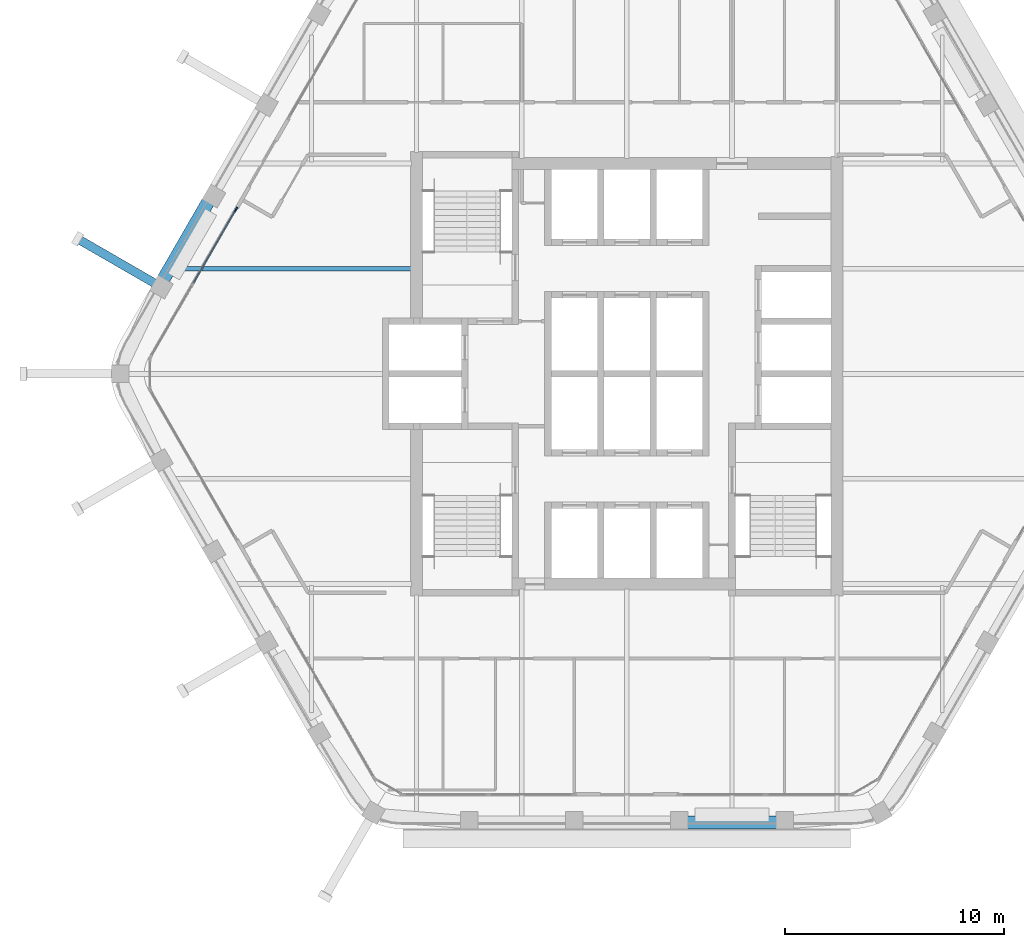
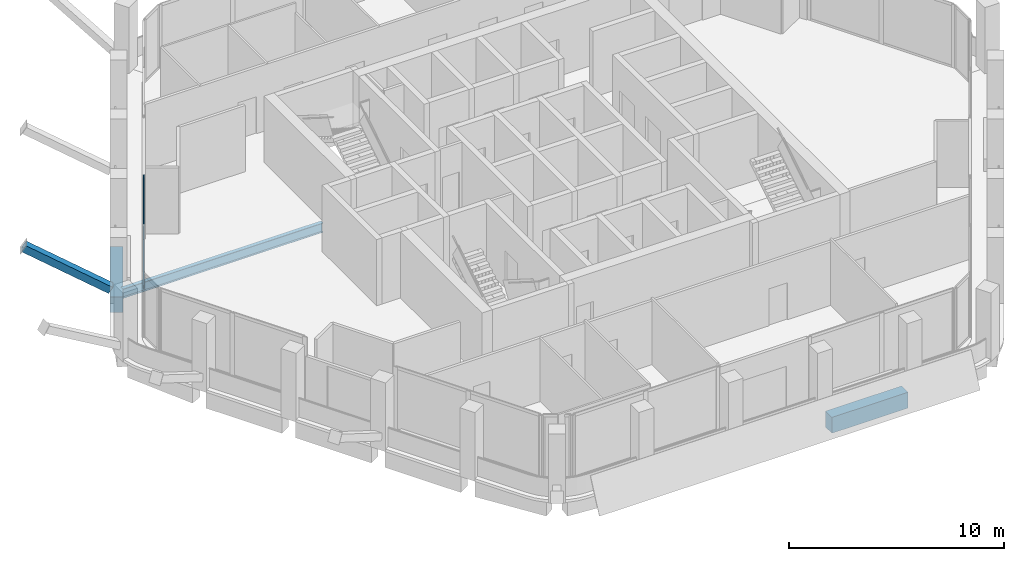
# One storey, part 3 of 14: 4 members, 3 beams, 1 element without a shape of its own.
"""IFC4 building model written with IfcOpenShell, lengths in metres."""

from ifc_helpers import new_model, si_unit, direction, frame, origin, origin_2d, place, context, subcontext, project, spatial, rectangle, hollow_rectangle, i_section, extrude, material, material_profile, profile_set, type_object, element, aggregate, save


model = new_model("IFC4")

# Units and contexts
model_context = context("Model", 3, precision=1e-05, world=origin(), true_north=direction((0.0, 1.0)))
body_context = subcontext(model_context, "Body", "Model", "MODEL_VIEW")
ifc_project = project(units=[si_unit("LENGTHUNIT", "METRE"), si_unit("AREAUNIT", "SQUARE_METRE"), si_unit("VOLUMEUNIT", "CUBIC_METRE"), si_unit("PLANEANGLEUNIT", "RADIAN"), si_unit("MASSUNIT", "GRAM", prefix="KILO")], contexts=[model_context])

# Site, building, storey
site_placement = place(None, origin())
site = spatial("IfcSite", under=ifc_project, at=site_placement, CompositionType="ELEMENT")
building_placement = place(site_placement, origin())
building = spatial("IfcBuilding", under=site, at=building_placement, Name="Kolab Exchange Tower", CompositionType="ELEMENT")
storey_placement = place(building_placement, frame((0.0, 0.0, 234.5)))
storey = spatial("IfcBuildingStorey", under=building, at=storey_placement, Name="L51", CompositionType="ELEMENT", Elevation=234.5)

# Beam
ifc_material_1 = material(Name="Steel S355", Category="steel")
ifc_material_profile_1 = material_profile(ifc_material_1, i_section(OverallWidth=0.208984375, OverallDepth=0.532958984375, WebThickness=0.01025390625, FlangeThickness=0.015625, at=origin_2d()), Name="W530X92")
ifc_profile_set_1 = profile_set([ifc_material_profile_1], Name="Steel S355")
beam_type_1 = type_object("IfcBeamType", Name="FLOOR BEAM W530X92", PredefinedType="BEAM", material=ifc_profile_set_1)
beam_placement = place(storey_placement, frame((-20.575927734375, 4.800048828125, -0.41650390625), z_axis=(1.0, 0.0, 0.0), x_axis=(0.0, 1.0, 0.0)))
element("IfcBeam", 1, at=beam_placement, inside=storey, type_object=beam_type_1, Name="beam/L51/fr/002", PredefinedType="BEAM", context=body_context, shape_type="SweptSolid", body=[
    extrude(i_section(OverallWidth=0.208984375, OverallDepth=0.532958984375, WebThickness=0.01025390625, FlangeThickness=0.015625, at=origin_2d()), origin(), (0.0, 0.0, 1.0), 10.740966796875),
])

# Member
ifc_material_profile_2 = material_profile(ifc_material_1, hollow_rectangle(XDim=0.39990234375, YDim=0.39990234375, WallThickness=0.02001953125, at=origin_2d()), Name="HSS400X400X20")
ifc_profile_set_2 = profile_set([ifc_material_profile_2], Name="Steel S355")
member_type_1 = type_object("IfcMemberType", Name="LEDGE STRUT HSS400X400X20", PredefinedType="STRUT", material=ifc_profile_set_2)
member_1_placement = place(storey_placement, frame((-21.5654296875, 4.136962890625, 0.60009765625), z_axis=(-0.74714919009, 0.431366436313, 0.505659060406), x_axis=(-0.499999695987, -0.866025579307, 0.0)))
element("IfcMember", 2, at=member_1_placement, inside=storey, type_object=member_type_1, Name="mem/L51/ledge/strut-4", PredefinedType="STRUT", context=body_context, shape_type="SweptSolid", body=[
    extrude(hollow_rectangle(XDim=0.39990234375, YDim=0.39990234375, WallThickness=0.02001953125, at=origin_2d()), origin(), (0.0, 0.0, 1.0), 4.682861328125),
])

# Beams
ifc_material_2 = material(Name="Concrete C50/60", Category="concrete")
ifc_material_profile_3 = material_profile(ifc_material_2, rectangle(XDim=0.60009765625, YDim=0.89990234375, at=origin_2d()), Name="RC600X900")
ifc_profile_set_3 = profile_set([ifc_material_profile_3], Name="Concrete C50/60")
beam_type_2 = type_object("IfcBeamType", Name="SPANDREL BEAM 600X900 C50/60", PredefinedType="BEAM", material=ifc_profile_set_3)
for number, where, z_axis, x_axis, name in (
    (3, (6.840087890625, -20.484619140625, -0.60009765625), (-1.0, 0.0, 0.0), (0.0, -1.0, 0.0), "beam/L51/sp/F4-02"),
    (4, (-21.16015625, 4.318603515625, -0.60009765625), (0.500000428765, 0.866025156237, 0.0), (-0.866025156237, 0.500000428765, 0.0), "beam/L51/sp/F6-02"),
):
    element("IfcBeam", number, at=place(storey_placement, frame(where, z_axis=z_axis, x_axis=x_axis)), inside=storey, type_object=beam_type_2, Name=name, PredefinedType="BEAM", context=body_context, shape_type="SweptSolid", body=[
        extrude(rectangle(XDim=0.60009765625, YDim=0.89990234375, at=origin_2d()), origin(), (0.0, 0.0, 1.0), 4.080078125),
    ])

# Curtain wall, members
ifc_material_3 = material(Name="Aluminium EN AW-6063 T6", Category="aluminium")
curtain_wall_type = type_object("IfcCurtainWallType", Name="UNITISED HIGH ZONE CURTAIN WALL", PredefinedType="NOTDEFINED", material=ifc_material_3)
curtain_wall_placement = place(storey_placement, origin())
curtain_wall = element("IfcCurtainWall", 5, at=curtain_wall_placement, inside=storey, type_object=curtain_wall_type, Name="cw/L51/F6-1", PredefinedType="NOTDEFINED")
ifc_material_profile_4 = material_profile(ifc_material_3, rectangle(XDim=0.06005859375, YDim=0.239990234375, at=origin_2d()), Name="RECT 60X240")
ifc_profile_set_4 = profile_set([ifc_material_profile_4], Name="Aluminium EN AW-6063 T6")
member_type_2 = type_object("IfcMemberType", Name="UNITISED HIGH ZONE MULLION 60 X 240", PredefinedType="MULLION", material=ifc_profile_set_4)
member_2_placement = place(storey_placement, frame((-17.8466796875, 7.497802734375, 0.0), z_axis=(0.0, 0.0, 1.0), x_axis=(-0.866025440524, 0.499999936366, 0.0)))
member_2 = element("IfcMember", 6, at=member_2_placement, type_object=member_type_2, Name="CW4 mullion 3", PredefinedType="MULLION", context=body_context, shape_type="SweptSolid", body=[
    extrude(rectangle(XDim=0.06005859375, YDim=0.239990234375, at=origin_2d()), origin(), (0.0, 0.0, 1.0), 3.60009765625),
])
ifc_material_profile_5 = material_profile(ifc_material_3, rectangle(XDim=0.06005859375, YDim=0.159912109375, at=origin_2d()), Name="RECT 60X160")
ifc_profile_set_5 = profile_set([ifc_material_profile_5], Name="Aluminium EN AW-6063 T6")
member_type_3 = type_object("IfcMemberType", Name="UNITISED HIGH ZONE TRANSOM 60 X 160", PredefinedType="USERDEFINED", material=ifc_profile_set_5)
member_3_placement = place(storey_placement, frame((-19.78369140625, 4.142822265625, 0.030029296875), z_axis=(0.500011990396, 0.866018481016, 0.0), x_axis=(-0.866018481016, 0.500011990396, 0.0)))
member_3 = element("IfcMember", 7, at=member_3_placement, type_object=member_type_3, Name="CW4 transom 2.1", ObjectType="TRANSOM", PredefinedType="USERDEFINED", context=body_context, shape_type="SweptSolid", body=[
    extrude(rectangle(XDim=0.06005859375, YDim=0.159912109375, at=origin_2d()), origin(), (0.0, 0.0, 1.0), 3.84423828125),
])
member_4_placement = place(storey_placement, frame((-19.78369140625, 4.142822265625, 3.570068359375), z_axis=(0.500011990396, 0.866018481016, 0.0), x_axis=(-0.866018481016, 0.500011990396, 0.0)))
member_4 = element("IfcMember", 8, at=member_4_placement, type_object=member_type_3, Name="CW4 transom 2.2", ObjectType="TRANSOM", PredefinedType="USERDEFINED", context=body_context, shape_type="SweptSolid", body=[
    extrude(rectangle(XDim=0.06005859375, YDim=0.159912109375, at=origin_2d()), origin(), (0.0, 0.0, 1.0), 3.84423828125),
])
aggregate(curtain_wall, [member_2, member_3, member_4])

save(model, "model.ifc")
